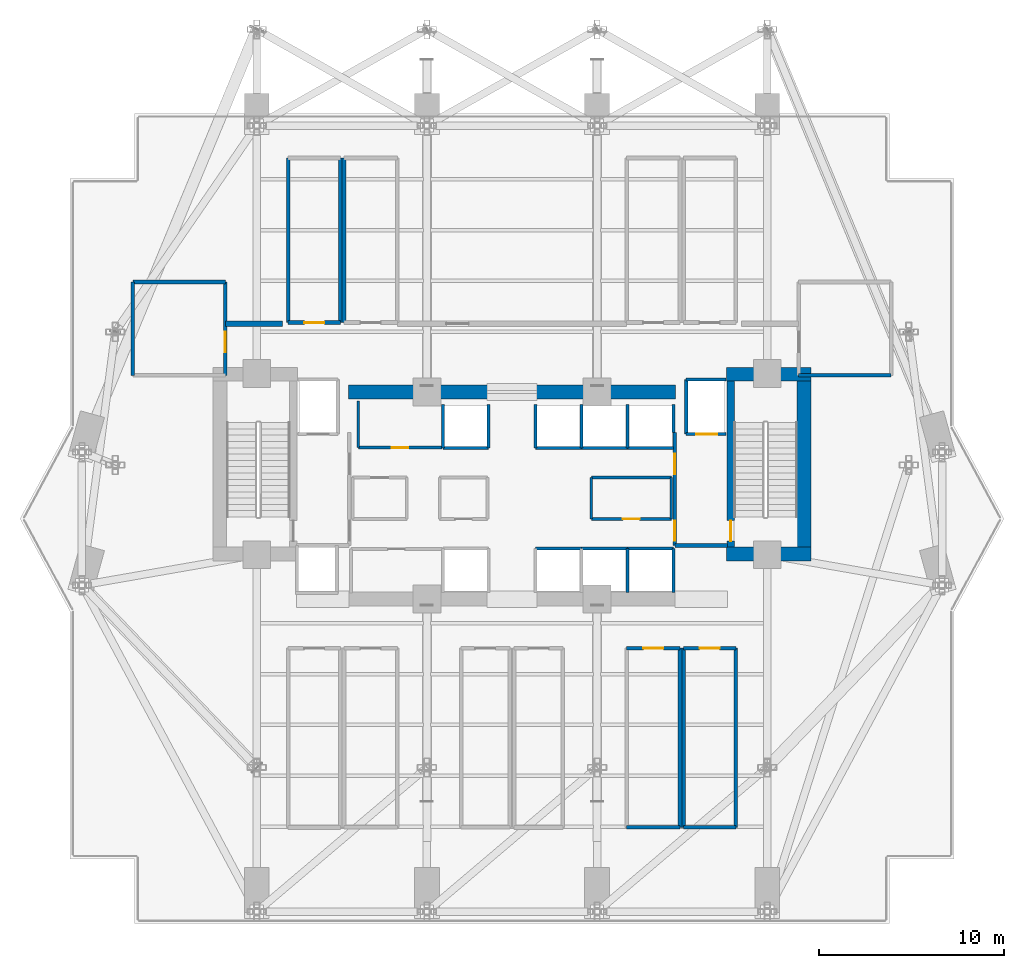
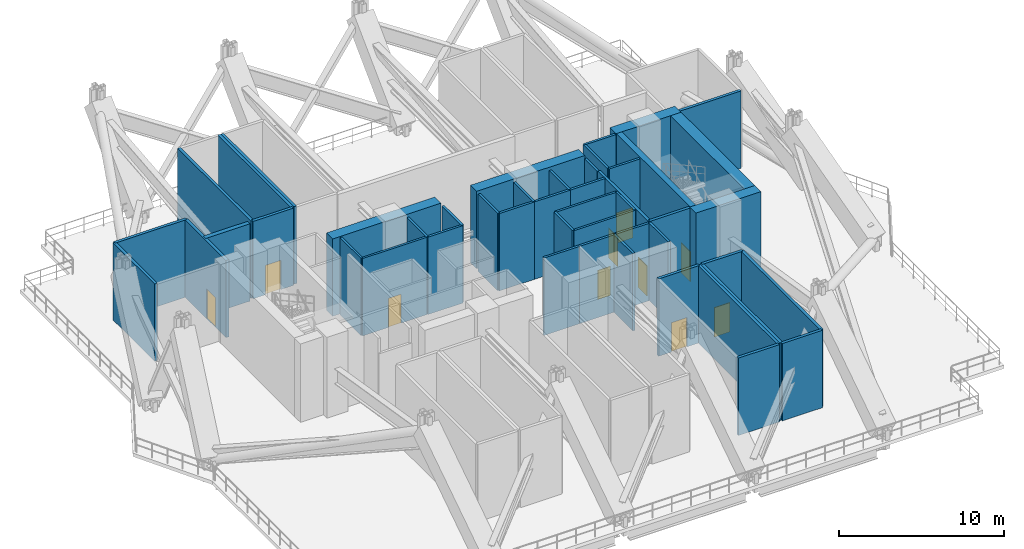
# One storey, part 13 of 18: 48 walls, 10 doors, 10 openings.
"""IFC4 building model written with IfcOpenShell, lengths in metres."""

from ifc_helpers import new_model, si_unit, direction, frame, frame_2d, origin, place, context, subcontext, project, spatial, rectangle, extrude, material, layer, layer_set, type_object, element, fill, save


model = new_model("IFC4")

# Units and contexts
model_context = context("Model", 3, precision=1e-05, world=origin(), true_north=direction((0.0, 1.0)))
body_context = subcontext(model_context, "Body", "Model", "MODEL_VIEW")
ifc_project = project(units=[si_unit("LENGTHUNIT", "METRE"), si_unit("AREAUNIT", "SQUARE_METRE"), si_unit("VOLUMEUNIT", "CUBIC_METRE"), si_unit("PLANEANGLEUNIT", "RADIAN"), si_unit("MASSUNIT", "GRAM", prefix="KILO")], contexts=[model_context])

# Site, building, storey
site_placement = place(None, origin())
site = spatial("IfcSite", under=ifc_project, at=site_placement, CompositionType="ELEMENT")
building_placement = place(site_placement, origin())
building = spatial("IfcBuilding", under=site, at=building_placement, Name="Zuhayl Quay Hotel", CompositionType="ELEMENT")
storey_placement = place(building_placement, frame((0.0, 0.0, 162.199951171875)))
storey = spatial("IfcBuildingStorey", under=building, at=storey_placement, Name="L41", CompositionType="ELEMENT", Elevation=162.199951171875)

# Walls
ifc_material_1 = material(Name="Concrete C60/75", Category="concrete")
ifc_layer_1 = layer(ifc_material_1, 0.75, Name="Concrete C60/75", Category="concrete")
ifc_layer_set_1 = layer_set([ifc_layer_1], Name="Concrete C60/75")
wall_type_1 = type_object("IfcWallType", Name="WL_CORE_750", PredefinedType="SHEAR", material=ifc_layer_set_1)
wall_1_placement = place(storey_placement, frame((11.60009765625, 14.304931640625, 0.0), z_axis=(0.0, 0.0, 1.0), x_axis=(1.0, 0.0, 0.0)))
element("IfcWall", 1, at=wall_1_placement, inside=storey, type_object=wall_type_1, Name="L41 Core Shear Wall CW_NE", PredefinedType="SHEAR", context=body_context, shape_type="SweptSolid", body=[
    extrude(rectangle(XDim=4.559814453125, YDim=0.75, at=frame_2d((2.27978515625, 0.0))), origin(), (0.0, 0.0, 1.0), 5.81005859375),
])
wall_2_placement = place(storey_placement, frame((15.784912109375, 4.969970703125, 0.0), z_axis=(0.0, 0.0, 1.0), x_axis=(0.0, 1.0, 0.0)))
element("IfcWall", 2, at=wall_2_placement, inside=storey, type_object=wall_type_1, Name="L41 Core Shear Wall CW_E", PredefinedType="SHEAR", context=body_context, shape_type="SweptSolid", body=[
    extrude(rectangle(XDim=8.9599609375, YDim=0.75, at=frame_2d((4.47998046875, 0.0))), origin(), (0.0, 0.0, 1.0), 5.81005859375),
])
wall_3_placement = place(storey_placement, frame((11.60009765625, 4.594970703125, 0.0), z_axis=(0.0, 0.0, 1.0), x_axis=(1.0, 0.0, 0.0)))
element("IfcWall", 3, at=wall_3_placement, inside=storey, type_object=wall_type_1, Name="L41 Core Shear Wall CW_SE", PredefinedType="SHEAR", context=body_context, shape_type="SweptSolid", body=[
    extrude(rectangle(XDim=4.559814453125, YDim=0.75, at=frame_2d((2.27978515625, 0.0))), origin(), (0.0, 0.0, 1.0), 5.81005859375),
])
for number, where, z_axis, x_axis, name in (
    (4, (-8.85009765625, 13.35009765625, 0.0), (0.0, 0.0, 1.0), (1.0, 0.0, 0.0), "L41 Core Shear Wall CW_NC_W"),
    (5, (1.25, 13.35009765625, 0.0), (0.0, 0.0, 1.0), (1.0, 0.0, 0.0), "L41 Core Shear Wall CW_NC_E"),
):
    element("IfcWall", number, at=place(storey_placement, frame(where, z_axis=z_axis, x_axis=x_axis)), inside=storey, type_object=wall_type_1, Name=name, PredefinedType="SHEAR", context=body_context, shape_type="SweptSolid", body=[
        extrude(rectangle(XDim=7.60009765625, YDim=0.75, at=frame_2d((3.800048828125, 0.0))), origin(), (0.0, 0.0, 1.0), 5.739990234375),
    ])
ifc_material_2 = material(Name="Precast concrete C45/55", Category="concrete")
ifc_layer_2 = layer(ifc_material_2, 0.300048828125, Name="Precast concrete C45/55", Category="concrete")
ifc_layer_set_2 = layer_set([ifc_layer_2], Name="Precast concrete C45/55")
wall_type_2 = type_object("IfcWallType", Name="WL_EXT_300", PredefinedType="STANDARD", material=ifc_layer_set_2)
wall_4_placement = place(storey_placement, frame((-15.5, 17.030029296875, 0.0), z_axis=(0.0, 0.0, 1.0), x_axis=(1.0, 0.0, 0.0)))
element("IfcWall", 6, at=wall_4_placement, inside=storey, type_object=wall_type_2, Name="L41 Exterior Precast Wall EW_WIND_NW_L41", PredefinedType="STANDARD", context=body_context, shape_type="SweptSolid", body=[
    extrude(rectangle(XDim=3.10009765625, YDim=0.300048828125, at=frame_2d((1.550048828125, 0.0))), origin(), (0.0, 0.0, 1.0), 5.739990234375),
])

# Wall, opening, door
ifc_material_3 = material(Name="Acoustic Gypsum Partition STC-58")
ifc_layer_3 = layer(ifc_material_3, 0.14990234375, Name="Acoustic Gypsum Partition STC-58")
ifc_layer_set_3 = layer_set([ifc_layer_3], Name="Acoustic Gypsum Partition STC-58")
wall_type_3 = type_object("IfcWallType", Name="WL_PART_150", PredefinedType="PARTITIONING", material=ifc_layer_set_3)
wall_5_placement = place(storey_placement, frame((-8.31005859375, 10.340087890625, 0.0), z_axis=(0.0, 0.0, 1.0), x_axis=(1.0, 0.0, 0.0)))
wall_5 = element("IfcWall", 7, at=wall_5_placement, inside=storey, type_object=wall_type_3, Name="L41 Partition IW_L41_FLP_N_S", PredefinedType="PARTITIONING", context=body_context, shape_type="SweptSolid", body=[
    extrude(rectangle(XDim=4.52001953125, YDim=0.14990234375, at=frame_2d((2.260009765625, 0.0))), origin(), (0.0, 0.0, 1.0), 5.739990234375),
])
opening_1_placement = place(wall_5_placement, frame((1.81005859375, 0.0, 0.0)))
opening_1 = element("IfcOpeningElement", 8, at=opening_1_placement, cuts=wall_5, Name="Opening D06", PredefinedType="OPENING", context=body_context, shape_type="SweptSolid", body=[
    extrude(rectangle(XDim=0.89990234375, YDim=2.14990234375, at=frame_2d((0.449951171875, 1.074951171875))), frame((0.0, 0.0849609375, 0.0), z_axis=(0.0, -1.0, 0.0), x_axis=(1.0, 0.0, 0.0)), (0.0, 0.0, 1.0), 0.169921875),
])
ifc_material_4 = material(Name="Steel ASTM A992 Grade 50", Category="steel")
door_type_1 = type_object("IfcDoorType", Name="DR_INT_900", OperationType="NOTDEFINED", PredefinedType="DOOR", material=ifc_material_4)
door_1_placement = place(opening_1_placement, origin())
door_1 = element("IfcDoor", 9, at=door_1_placement, inside=storey, type_object=door_type_1, Name="L41 Valet Linen Store Door", OperationType="SINGLE_SWING_LEFT", OverallHeight=2.14990234375, OverallWidth=0.89990234375, PredefinedType="DOOR", context=body_context, shape_type="SweptSolid", body=[
    extrude(rectangle(XDim=0.89990234375, YDim=2.14990234375, at=frame_2d((0.449951171875, 1.074951171875))), frame((0.0, 0.02490234375, 0.0), z_axis=(0.0, -1.0, 0.0), x_axis=(1.0, 0.0, 0.0)), (0.0, 0.0, 1.0), 0.050048828125),
])
fill(opening_1, door_1)

wall_6_placement = place(storey_placement, frame((4.2900390625, 6.47998046875, 0.0), z_axis=(0.0, 0.0, 1.0), x_axis=(1.0, 0.0, 0.0)))
wall_6 = element("IfcWall", 10, at=wall_6_placement, inside=storey, type_object=wall_type_3, Name="L41 Partition IW_L41_CORE_VL_S", PredefinedType="PARTITIONING", context=body_context, shape_type="SweptSolid", body=[
    extrude(rectangle(XDim=4.320068359375, YDim=0.14990234375, at=frame_2d((2.16015625, 0.0))), origin(), (0.0, 0.0, 1.0), 5.739990234375),
])
opening_2_placement = place(wall_6_placement, frame((1.7099609375, 0.0, 0.0)))
opening_2 = element("IfcOpeningElement", 11, at=opening_2_placement, cuts=wall_6, Name="Opening D06", PredefinedType="OPENING", context=body_context, shape_type="SweptSolid", body=[
    extrude(rectangle(XDim=0.89990234375, YDim=2.14990234375, at=frame_2d((0.449951171875, 1.074951171875))), frame((0.0, 0.0849609375, 0.0), z_axis=(0.0, -1.0, 0.0), x_axis=(1.0, 0.0, 0.0)), (0.0, 0.0, 1.0), 0.169921875),
])
door_2_placement = place(opening_2_placement, origin())
door_2 = element("IfcDoor", 12, at=door_2_placement, inside=storey, type_object=door_type_1, Name="L41 Floor Valet Store Door", OperationType="SINGLE_SWING_RIGHT", OverallHeight=2.14990234375, OverallWidth=0.89990234375, PredefinedType="DOOR", context=body_context, shape_type="SweptSolid", body=[
    extrude(rectangle(XDim=0.89990234375, YDim=2.14990234375, at=frame_2d((0.449951171875, 1.074951171875))), frame((0.0, 0.02490234375, 0.0), z_axis=(0.0, -1.0, 0.0), x_axis=(1.0, 0.0, 0.0)), (0.0, 0.0, 1.0), 0.050048828125),
])
fill(opening_2, door_2)

# Walls
wall_7_placement = place(storey_placement, frame((-8.31005859375, 10.340087890625, 0.0), z_axis=(0.0, 0.0, 1.0), x_axis=(0.0, 1.0, 0.0)))
element("IfcWall", 13, at=wall_7_placement, inside=storey, type_object=wall_type_3, Name="L41 Partition IW_L41_FLP_N_W", PredefinedType="PARTITIONING", context=body_context, shape_type="SweptSolid", body=[
    extrude(rectangle(XDim=2.52001953125, YDim=0.14990234375, at=frame_2d((1.260009765625, 0.0))), origin(), (0.0, 0.0, 1.0), 5.739990234375),
])
wall_8_placement = place(storey_placement, frame((4.2900390625, 8.719970703125, 0.0), z_axis=(0.0, 0.0, 1.0), x_axis=(1.0, 0.0, 0.0)))
element("IfcWall", 14, at=wall_8_placement, inside=storey, type_object=wall_type_3, Name="L41 Partition IW_L41_CORE_VL_N", PredefinedType="PARTITIONING", context=body_context, shape_type="SweptSolid", body=[
    extrude(rectangle(XDim=4.320068359375, YDim=0.14990234375, at=frame_2d((2.16015625, 0.0))), origin(), (0.0, 0.0, 1.0), 5.739990234375),
])
for number, where, z_axis, x_axis, name in (
    (15, (4.2900390625, 6.47998046875, 0.0), (0.0, 0.0, 1.0), (0.0, 1.0, 0.0), "L41 Partition IW_L41_CORE_VL_W"),
    (16, (8.610107421875, 6.47998046875, 0.0), (0.0, 0.0, 1.0), (0.0, 1.0, 0.0), "L41 Partition IW_L41_CORE_VL_E"),
):
    element("IfcWall", number, at=place(storey_placement, frame(where, z_axis=z_axis, x_axis=x_axis)), inside=storey, type_object=wall_type_3, Name=name, PredefinedType="PARTITIONING", context=body_context, shape_type="SweptSolid", body=[
        extrude(rectangle(XDim=2.239990234375, YDim=0.14990234375, at=frame_2d((1.1201171875, 0.0))), origin(), (0.0, 0.0, 1.0), 5.739990234375),
    ])

# Wall, opening, door
ifc_material_5 = material(Name="Gypsum Fireboard Assembly EI-90")
ifc_layer_4 = layer(ifc_material_5, 0.1650390625, Name="Gypsum Fireboard Assembly EI-90")
ifc_layer_set_4 = layer_set([ifc_layer_4], Name="Gypsum Fireboard Assembly EI-90")
wall_type_4 = type_object("IfcWallType", Name="WL_PART_SHAFT_160", PredefinedType="PARTITIONING", material=ifc_layer_set_4)
wall_9_placement = place(storey_placement, frame((9.419921875, 11.070068359375, 0.0), z_axis=(0.0, 0.0, 1.0), x_axis=(1.0, 0.0, 0.0)))
wall_9 = element("IfcWall", 17, at=wall_9_placement, inside=storey, type_object=wall_type_4, Name="L41 Partition IW_L41_SH_FL2_F", PredefinedType="PARTITIONING", context=body_context, shape_type="SweptSolid", body=[
    extrude(rectangle(XDim=2.16015625, YDim=0.1650390625, at=frame_2d((1.080078125, 0.0))), origin(), (0.0, 0.0, 1.0), 5.739990234375),
])
opening_3_placement = place(wall_9_placement, frame((0.530029296875, 0.0, 0.0)))
opening_3 = element("IfcOpeningElement", 18, at=opening_3_placement, cuts=wall_9, Name="Opening LD2", PredefinedType="OPENING", context=body_context, shape_type="SweptSolid", body=[
    extrude(rectangle(XDim=1.14990234375, YDim=2.25, at=frame_2d((0.574951171875, 1.125))), frame((0.0, 0.092529296875, 0.0), z_axis=(0.0, -1.0, 0.0), x_axis=(1.0, 0.0, 0.0)), (0.0, 0.0, 1.0), 0.18505859375),
])
ifc_material_6 = material(Name="Brushed Stainless Steel", Category="steel")
door_type_2 = type_object("IfcDoorType", Name="DR_LIFT_FF_1100", OperationType="SLIDING_TO_LEFT", PredefinedType="DOOR", material=ifc_material_6)
door_3_placement = place(opening_3_placement, origin())
door_3 = element("IfcDoor", 19, at=door_3_placement, inside=storey, type_object=door_type_2, Name="L41 Lift FL2 Sliding Landing Door", OperationType="SLIDING_TO_LEFT", OverallHeight=2.25, OverallWidth=1.14990234375, PredefinedType="DOOR", context=body_context, shape_type="SweptSolid", body=[
    extrude(rectangle(XDim=1.14990234375, YDim=2.25, at=frame_2d((0.574951171875, 1.125))), frame((0.0, 0.02490234375, 0.0), z_axis=(0.0, -1.0, 0.0), x_axis=(1.0, 0.0, 0.0)), (0.0, 0.0, 1.0), 0.050048828125),
])
fill(opening_3, door_3)

# Walls
wall_10_placement = place(storey_placement, frame((9.419921875, 11.070068359375, 0.0), z_axis=(0.0, 0.0, 1.0), x_axis=(0.0, 1.0, 0.0)))
element("IfcWall", 20, at=wall_10_placement, inside=storey, type_object=wall_type_4, Name="L41 Partition IW_L41_SH_FL2_W", PredefinedType="PARTITIONING", context=body_context, shape_type="SweptSolid", body=[
    extrude(rectangle(XDim=2.9599609375, YDim=0.1650390625, at=frame_2d((1.47998046875, 0.0))), origin(), (0.0, 0.0, 1.0), 5.739990234375),
])
wall_11_placement = place(storey_placement, frame((9.419921875, 14.030029296875, 0.0), z_axis=(0.0, 0.0, 1.0), x_axis=(1.0, 0.0, 0.0)))
element("IfcWall", 21, at=wall_11_placement, inside=storey, type_object=wall_type_4, Name="L41 Partition IW_L41_SH_FL2_B", PredefinedType="PARTITIONING", context=body_context, shape_type="SweptSolid", body=[
    extrude(rectangle(XDim=2.16015625, YDim=0.1650390625, at=frame_2d((1.080078125, 0.0))), origin(), (0.0, 0.0, 1.0), 5.739990234375),
])
wall_12_placement = place(storey_placement, frame((1.27001953125, 4.8798828125, 0.0), z_axis=(0.0, 0.0, 1.0), x_axis=(1.0, 0.0, 0.0)))
element("IfcWall", 22, at=wall_12_placement, inside=storey, type_object=wall_type_4, Name="L41 Partition IW_L41_SH_MP2_F", PredefinedType="PARTITIONING", context=body_context, shape_type="SweptSolid", body=[
    extrude(rectangle(XDim=2.47998046875, YDim=0.1650390625, at=frame_2d((1.239990234375, 0.0))), origin(), (0.0, 0.0, 1.0), 5.739990234375),
])
wall_13_placement = place(storey_placement, frame((-3.72998046875, 10.320068359375, 0.0), z_axis=(0.0, 0.0, 1.0), x_axis=(1.0, 0.0, 0.0)))
element("IfcWall", 23, at=wall_13_placement, inside=storey, type_object=wall_type_4, Name="L41 Partition IW_L41_SH_MP3_F", PredefinedType="PARTITIONING", context=body_context, shape_type="SweptSolid", body=[
    extrude(rectangle(XDim=2.4599609375, YDim=0.1650390625, at=frame_2d((1.22998046875, 0.0))), origin(), (0.0, 0.0, 1.0), 5.739990234375),
])
for number, where, z_axis, x_axis, name in (
    (24, (-3.72998046875, 10.320068359375, 0.0), (0.0, 0.0, 1.0), (0.0, 1.0, 0.0), "L41 Partition IW_L41_SH_MP3_W"),
    (25, (-1.27001953125, 10.320068359375, 0.0), (0.0, 0.0, 1.0), (0.0, 1.0, 0.0), "L41 Partition IW_L41_SH_MP3_E"),
):
    element("IfcWall", number, at=place(storey_placement, frame(where, z_axis=z_axis, x_axis=x_axis)), inside=storey, type_object=wall_type_4, Name=name, PredefinedType="PARTITIONING", context=body_context, shape_type="SweptSolid", body=[
        extrude(rectangle(XDim=2.35986328125, YDim=0.1650390625, at=frame_2d((1.179931640625, 0.0))), origin(), (0.0, 0.0, 1.0), 5.739990234375),
    ])
wall_14_placement = place(storey_placement, frame((1.27001953125, 10.320068359375, 0.0), z_axis=(0.0, 0.0, 1.0), x_axis=(1.0, 0.0, 0.0)))
element("IfcWall", 26, at=wall_14_placement, inside=storey, type_object=wall_type_4, Name="L41 Partition IW_L41_SH_MP4_F", PredefinedType="PARTITIONING", context=body_context, shape_type="SweptSolid", body=[
    extrude(rectangle(XDim=2.47998046875, YDim=0.1650390625, at=frame_2d((1.239990234375, 0.0))), origin(), (0.0, 0.0, 1.0), 5.739990234375),
])
for number, where, z_axis, x_axis, name in (
    (27, (1.27001953125, 10.320068359375, 0.0), (0.0, 0.0, 1.0), (0.0, 1.0, 0.0), "L41 Partition IW_L41_SH_MP4_W"),
    (28, (3.75, 10.320068359375, 0.0), (0.0, 0.0, 1.0), (0.0, 1.0, 0.0), "L41 Partition IW_L41_SH_MP4_E"),
):
    element("IfcWall", number, at=place(storey_placement, frame(where, z_axis=z_axis, x_axis=x_axis)), inside=storey, type_object=wall_type_4, Name=name, PredefinedType="PARTITIONING", context=body_context, shape_type="SweptSolid", body=[
        extrude(rectangle(XDim=2.35986328125, YDim=0.1650390625, at=frame_2d((1.179931640625, 0.0))), origin(), (0.0, 0.0, 1.0), 5.739990234375),
    ])
wall_15_placement = place(storey_placement, frame((3.75, 4.8798828125, 0.0), z_axis=(0.0, 0.0, 1.0), x_axis=(1.0, 0.0, 0.0)))
element("IfcWall", 29, at=wall_15_placement, inside=storey, type_object=wall_type_4, Name="L41 Partition IW_L41_SH_HP1_F", PredefinedType="PARTITIONING", context=body_context, shape_type="SweptSolid", body=[
    extrude(rectangle(XDim=2.5, YDim=0.1650390625, at=frame_2d((1.25, 0.0))), origin(), (0.0, 0.0, 1.0), 5.739990234375),
])
wall_16_placement = place(storey_placement, frame((6.25, 2.52001953125, 0.0), z_axis=(0.0, 0.0, 1.0), x_axis=(0.0, 1.0, 0.0)))
element("IfcWall", 30, at=wall_16_placement, inside=storey, type_object=wall_type_4, Name="L41 Partition IW_L41_SH_HP1_E", PredefinedType="PARTITIONING", context=body_context, shape_type="SweptSolid", body=[
    extrude(rectangle(XDim=2.35986328125, YDim=0.1650390625, at=frame_2d((1.179931640625, 0.0))), origin(), (0.0, 0.0, 1.0), 5.739990234375),
])
wall_17_placement = place(storey_placement, frame((6.25, 4.8798828125, 0.0), z_axis=(0.0, 0.0, 1.0), x_axis=(1.0, 0.0, 0.0)))
element("IfcWall", 31, at=wall_17_placement, inside=storey, type_object=wall_type_4, Name="L41 Partition IW_L41_SH_HP2_F", PredefinedType="PARTITIONING", context=body_context, shape_type="SweptSolid", body=[
    extrude(rectangle(XDim=2.47998046875, YDim=0.1650390625, at=frame_2d((1.239990234375, 0.0))), origin(), (0.0, 0.0, 1.0), 5.739990234375),
])
wall_18_placement = place(storey_placement, frame((8.72998046875, 2.52001953125, 0.0), z_axis=(0.0, 0.0, 1.0), x_axis=(0.0, 1.0, 0.0)))
element("IfcWall", 32, at=wall_18_placement, inside=storey, type_object=wall_type_4, Name="L41 Partition IW_L41_SH_HP2_E", PredefinedType="PARTITIONING", context=body_context, shape_type="SweptSolid", body=[
    extrude(rectangle(XDim=2.35986328125, YDim=0.1650390625, at=frame_2d((1.179931640625, 0.0))), origin(), (0.0, 0.0, 1.0), 5.739990234375),
])
wall_19_placement = place(storey_placement, frame((3.75, 10.320068359375, 0.0), z_axis=(0.0, 0.0, 1.0), x_axis=(1.0, 0.0, 0.0)))
element("IfcWall", 33, at=wall_19_placement, inside=storey, type_object=wall_type_4, Name="L41 Partition IW_L41_SH_HP3_F", PredefinedType="PARTITIONING", context=body_context, shape_type="SweptSolid", body=[
    extrude(rectangle(XDim=2.5, YDim=0.1650390625, at=frame_2d((1.25, 0.0))), origin(), (0.0, 0.0, 1.0), 5.739990234375),
])
wall_20_placement = place(storey_placement, frame((6.25, 10.320068359375, 0.0), z_axis=(0.0, 0.0, 1.0), x_axis=(0.0, 1.0, 0.0)))
element("IfcWall", 34, at=wall_20_placement, inside=storey, type_object=wall_type_4, Name="L41 Partition IW_L41_SH_HP3_E", PredefinedType="PARTITIONING", context=body_context, shape_type="SweptSolid", body=[
    extrude(rectangle(XDim=2.35986328125, YDim=0.1650390625, at=frame_2d((1.179931640625, 0.0))), origin(), (0.0, 0.0, 1.0), 5.739990234375),
])
wall_21_placement = place(storey_placement, frame((6.25, 10.320068359375, 0.0), z_axis=(0.0, 0.0, 1.0), x_axis=(1.0, 0.0, 0.0)))
element("IfcWall", 35, at=wall_21_placement, inside=storey, type_object=wall_type_4, Name="L41 Partition IW_L41_SH_HP4_F", PredefinedType="PARTITIONING", context=body_context, shape_type="SweptSolid", body=[
    extrude(rectangle(XDim=2.47998046875, YDim=0.1650390625, at=frame_2d((1.239990234375, 0.0))), origin(), (0.0, 0.0, 1.0), 5.739990234375),
])
wall_22_placement = place(storey_placement, frame((8.72998046875, 11.14990234375, 0.0), z_axis=(0.0, 0.0, 1.0), x_axis=(0.0, 1.0, 0.0)))
element("IfcWall", 36, at=wall_22_placement, inside=storey, type_object=wall_type_4, Name="L41 Partition IW_L41_SH_HP4_E", PredefinedType="PARTITIONING", context=body_context, shape_type="SweptSolid", body=[
    extrude(rectangle(XDim=1.530029296875, YDim=0.1650390625, at=frame_2d((0.76513671875, 0.0))), origin(), (0.0, 0.0, 1.0), 5.739990234375),
])

# Wall, openings, doors
ifc_material_7 = material(Name="Gypsum Fireboard Assembly EI-120")
ifc_layer_5 = layer(ifc_material_7, 0.199951171875, Name="Gypsum Fireboard Assembly EI-120")
ifc_layer_set_5 = layer_set([ifc_layer_5], Name="Gypsum Fireboard Assembly EI-120")
wall_type_5 = type_object("IfcWallType", Name="WL_PART_SHAFT_200", PredefinedType="PARTITIONING", material=ifc_layer_set_5)
wall_23_placement = place(storey_placement, frame((8.800048828125, 11.14990234375, 0.0), z_axis=(0.0, 0.0, 1.0), x_axis=(0.0, -1.0, 0.0)))
wall_23 = element("IfcWall", 37, at=wall_23_placement, inside=storey, type_object=wall_type_5, Name="L41 Partition IW_L41_FSAE_E_W", PredefinedType="PARTITIONING", context=body_context, shape_type="SweptSolid", body=[
    extrude(rectangle(XDim=6.099853515625, YDim=0.199951171875, at=frame_2d((3.0498046875, 0.0))), origin(), (0.0, 0.0, 1.0), 5.739990234375),
])
opening_4_placement = place(wall_23_placement, frame((1.14990234375, 0.0, 0.0)))
opening_4 = element("IfcOpeningElement", 38, at=opening_4_placement, cuts=wall_23, Name="Opening D02", PredefinedType="OPENING", context=body_context, shape_type="SweptSolid", body=[
    extrude(rectangle(XDim=1.10009765625, YDim=2.199951171875, at=frame_2d((0.550048828125, 1.10009765625))), frame((0.0, 0.10986328125, 0.0), z_axis=(0.0, -1.0, 0.0), x_axis=(1.0, 0.0, 0.0)), (0.0, 0.0, 1.0), 0.219970703125),
])
opening_5_placement = place(wall_23_placement, frame((4.75, 0.0, 0.0)))
opening_5 = element("IfcOpeningElement", 39, at=opening_5_placement, cuts=wall_23, Name="Opening D02", PredefinedType="OPENING", context=body_context, shape_type="SweptSolid", body=[
    extrude(rectangle(XDim=1.10009765625, YDim=2.199951171875, at=frame_2d((0.550048828125, 1.10009765625))), frame((0.0, 0.10986328125, 0.0), z_axis=(0.0, -1.0, 0.0), x_axis=(1.0, 0.0, 0.0)), (0.0, 0.0, 1.0), 0.219970703125),
])
door_type_3 = type_object("IfcDoorType", Name="DR_FIRE_90_1100", OperationType="NOTDEFINED", PredefinedType="DOOR", material=ifc_material_4)
door_4_placement = place(opening_4_placement, origin())
door_4 = element("IfcDoor", 40, at=door_4_placement, inside=storey, type_object=door_type_3, Name="L41 FSAE Lobby East North Entry Door", OperationType="SINGLE_SWING_RIGHT", OverallHeight=2.199951171875, OverallWidth=1.10009765625, PredefinedType="DOOR", context=body_context, shape_type="SweptSolid", body=[
    extrude(rectangle(XDim=1.10009765625, YDim=2.199951171875, at=frame_2d((0.550048828125, 1.10009765625))), frame((0.0, 0.02490234375, 0.0), z_axis=(0.0, -1.0, 0.0), x_axis=(1.0, 0.0, 0.0)), (0.0, 0.0, 1.0), 0.050048828125),
])
fill(opening_4, door_4)
door_5_placement = place(opening_5_placement, origin())
door_5 = element("IfcDoor", 41, at=door_5_placement, inside=storey, type_object=door_type_3, Name="L41 FSAE Lobby East South Entry Door", OperationType="SINGLE_SWING_LEFT", OverallHeight=2.199951171875, OverallWidth=1.10009765625, PredefinedType="DOOR", context=body_context, shape_type="SweptSolid", body=[
    extrude(rectangle(XDim=1.10009765625, YDim=2.199951171875, at=frame_2d((0.550048828125, 1.10009765625))), frame((0.0, 0.02490234375, 0.0), z_axis=(0.0, -1.0, 0.0), x_axis=(1.0, 0.0, 0.0)), (0.0, 0.0, 1.0), 0.050048828125),
])
fill(opening_5, door_5)

# Wall, opening, door
wall_24_placement = place(storey_placement, frame((-15.5, 14.25, 0.0), z_axis=(0.0, 0.0, 1.0), x_axis=(0.0, 1.0, 0.0)))
wall_24 = element("IfcWall", 42, at=wall_24_placement, inside=storey, type_object=wall_type_5, Name="L41 Partition IW_L41_REF_W_E", PredefinedType="PARTITIONING", context=body_context, shape_type="SweptSolid", body=[
    extrude(rectangle(XDim=5.050048828125, YDim=0.199951171875, at=frame_2d((2.52490234375, 0.0))), origin(), (0.0, 0.0, 1.0), 5.739990234375),
])
opening_6_placement = place(wall_24_placement, frame((1.25, 0.0, 0.0)))
opening_6 = element("IfcOpeningElement", 43, at=opening_6_placement, cuts=wall_24, Name="Opening D02", PredefinedType="OPENING", context=body_context, shape_type="SweptSolid", body=[
    extrude(rectangle(XDim=1.10009765625, YDim=2.199951171875, at=frame_2d((0.550048828125, 1.10009765625))), frame((0.0, 0.10986328125, 0.0), z_axis=(0.0, -1.0, 0.0), x_axis=(1.0, 0.0, 0.0)), (0.0, 0.0, 1.0), 0.219970703125),
])
door_6_placement = place(opening_6_placement, origin())
door_6 = element("IfcDoor", 44, at=door_6_placement, inside=storey, type_object=door_type_3, Name="L41 West Refuge Area Door", OperationType="SINGLE_SWING_LEFT", OverallHeight=2.199951171875, OverallWidth=1.10009765625, PredefinedType="DOOR", context=body_context, shape_type="SweptSolid", body=[
    extrude(rectangle(XDim=1.10009765625, YDim=2.199951171875, at=frame_2d((0.550048828125, 1.10009765625))), frame((0.0, 0.02490234375, 0.0), z_axis=(0.0, -1.0, 0.0), x_axis=(1.0, 0.0, 0.0)), (0.0, 0.0, 1.0), 0.050048828125),
])
fill(opening_6, door_6)

wall_25_placement = place(storey_placement, frame((-12.10009765625, 17.10009765625, 0.0), z_axis=(0.0, 0.0, 1.0), x_axis=(1.0, 0.0, 0.0)))
wall_25 = element("IfcWall", 45, at=wall_25_placement, inside=storey, type_object=wall_type_5, Name="L41 Partition IW_L41_MEP_HEX1_S", PredefinedType="PARTITIONING", context=body_context, shape_type="SweptSolid", body=[
    extrude(rectangle(XDim=2.820068359375, YDim=0.199951171875, at=frame_2d((1.41015625, 0.0))), origin(), (0.0, 0.0, 1.0), 5.739990234375),
])
opening_7_placement = place(wall_25_placement, frame((0.8701171875, 0.0, 0.0)))
opening_7 = element("IfcOpeningElement", 46, at=opening_7_placement, cuts=wall_25, Name="Opening D05A", PredefinedType="OPENING", context=body_context, shape_type="SweptSolid", body=[
    extrude(rectangle(XDim=1.080078125, YDim=2.179931640625, at=frame_2d((0.5400390625, 1.08984375))), frame((0.0, 0.10986328125, 0.0), z_axis=(0.0, -1.0, 0.0), x_axis=(1.0, 0.0, 0.0)), (0.0, 0.0, 1.0), 0.219970703125),
])
ifc_material_8 = material(Name="Solid Walnut Acoustic Fire Door")
door_type_4 = type_object("IfcDoorType", Name="DR_INT_1100", OperationType="NOTDEFINED", PredefinedType="DOOR", material=ifc_material_8)
door_7_placement = place(opening_7_placement, origin())
door_7 = element("IfcDoor", 47, at=door_7_placement, inside=storey, type_object=door_type_4, Name="L41 Chiller Plant Room 1 Door", OperationType="SINGLE_SWING_LEFT", OverallHeight=2.179931640625, OverallWidth=1.080078125, PredefinedType="DOOR", context=body_context, shape_type="SweptSolid", body=[
    extrude(rectangle(XDim=1.080078125, YDim=2.179931640625, at=frame_2d((0.5400390625, 1.08984375))), frame((0.0, 0.02490234375, 0.0), z_axis=(0.0, -1.0, 0.0), x_axis=(1.0, 0.0, 0.0)), (0.0, 0.0, 1.0), 0.050048828125),
])
fill(opening_7, door_7)

wall_26_placement = place(storey_placement, frame((6.199951171875, -0.5, 0.0), z_axis=(0.0, 0.0, 1.0), x_axis=(1.0, 0.0, 0.0)))
wall_26 = element("IfcWall", 48, at=wall_26_placement, inside=storey, type_object=wall_type_5, Name="L41 Partition IW_L41_MEP_PUMP_N", PredefinedType="PARTITIONING", context=body_context, shape_type="SweptSolid", body=[
    extrude(rectangle(XDim=2.880126953125, YDim=0.199951171875, at=frame_2d((1.43994140625, 0.0))), origin(), (0.0, 0.0, 1.0), 5.739990234375),
])
opening_8_placement = place(wall_26_placement, frame((0.89990234375, 0.0, 0.0)))
opening_8 = element("IfcOpeningElement", 49, at=opening_8_placement, cuts=wall_26, Name="Opening D05A", PredefinedType="OPENING", context=body_context, shape_type="SweptSolid", body=[
    extrude(rectangle(XDim=1.080078125, YDim=2.179931640625, at=frame_2d((0.5400390625, 1.08984375))), frame((0.0, 0.10986328125, 0.0), z_axis=(0.0, -1.0, 0.0), x_axis=(1.0, 0.0, 0.0)), (0.0, 0.0, 1.0), 0.219970703125),
])
door_8_placement = place(opening_8_placement, origin())
door_8 = element("IfcDoor", 50, at=door_8_placement, inside=storey, type_object=door_type_4, Name="L41 Booster Pump Plant Room Door", OperationType="SINGLE_SWING_LEFT", OverallHeight=2.179931640625, OverallWidth=1.080078125, PredefinedType="DOOR", context=body_context, shape_type="SweptSolid", body=[
    extrude(rectangle(XDim=1.080078125, YDim=2.179931640625, at=frame_2d((0.5400390625, 1.08984375))), frame((0.0, 0.02490234375, 0.0), z_axis=(0.0, -1.0, 0.0), x_axis=(1.0, 0.0, 0.0)), (0.0, 0.0, 1.0), 0.050048828125),
])
fill(opening_8, door_8)

wall_27_placement = place(storey_placement, frame((9.280029296875, -0.5, 0.0), z_axis=(0.0, 0.0, 1.0), x_axis=(1.0, 0.0, 0.0)))
wall_27 = element("IfcWall", 51, at=wall_27_placement, inside=storey, type_object=wall_type_5, Name="L41 Partition IW_L41_MEP_FIRE_N", PredefinedType="PARTITIONING", context=body_context, shape_type="SweptSolid", body=[
    extrude(rectangle(XDim=2.820068359375, YDim=0.199951171875, at=frame_2d((1.41015625, 0.0))), origin(), (0.0, 0.0, 1.0), 5.739990234375),
])
opening_9_placement = place(wall_27_placement, frame((0.8701171875, 0.0, 0.0)))
opening_9 = element("IfcOpeningElement", 52, at=opening_9_placement, cuts=wall_27, Name="Opening D05A", PredefinedType="OPENING", context=body_context, shape_type="SweptSolid", body=[
    extrude(rectangle(XDim=1.080078125, YDim=2.179931640625, at=frame_2d((0.5400390625, 1.08984375))), frame((0.0, 0.10986328125, 0.0), z_axis=(0.0, -1.0, 0.0), x_axis=(1.0, 0.0, 0.0)), (0.0, 0.0, 1.0), 0.219970703125),
])
door_9_placement = place(opening_9_placement, origin())
door_9 = element("IfcDoor", 53, at=door_9_placement, inside=storey, type_object=door_type_4, Name="L41 Fire Pump Plant Room Door", OperationType="SINGLE_SWING_RIGHT", OverallHeight=2.179931640625, OverallWidth=1.080078125, PredefinedType="DOOR", context=body_context, shape_type="SweptSolid", body=[
    extrude(rectangle(XDim=1.080078125, YDim=2.179931640625, at=frame_2d((0.5400390625, 1.08984375))), frame((0.0, 0.02490234375, 0.0), z_axis=(0.0, -1.0, 0.0), x_axis=(1.0, 0.0, 0.0)), (0.0, 0.0, 1.0), 0.050048828125),
])
fill(opening_9, door_9)

# Walls
wall_28_placement = place(storey_placement, frame((8.800048828125, 5.050048828125, 0.0), z_axis=(0.0, 0.0, 1.0), x_axis=(1.0, 0.0, 0.0)))
element("IfcWall", 54, at=wall_28_placement, inside=storey, type_object=wall_type_5, Name="L41 Partition IW_L41_FSAE_E_S", PredefinedType="PARTITIONING", context=body_context, shape_type="SweptSolid", body=[
    extrude(rectangle(XDim=2.849853515625, YDim=0.199951171875, at=frame_2d((1.4248046875, 0.0))), origin(), (0.0, 0.0, 1.0), 5.739990234375),
])
wall_29_placement = place(storey_placement, frame((-20.5, 14.25, 0.0), z_axis=(0.0, 0.0, 1.0), x_axis=(0.0, 1.0, 0.0)))
element("IfcWall", 55, at=wall_29_placement, inside=storey, type_object=wall_type_5, Name="L41 Partition IW_L41_REF_W_W", PredefinedType="PARTITIONING", context=body_context, shape_type="SweptSolid", body=[
    extrude(rectangle(XDim=5.050048828125, YDim=0.199951171875, at=frame_2d((2.52490234375, 0.0))), origin(), (0.0, 0.0, 1.0), 5.739990234375),
])
for number, where, z_axis, x_axis, name in (
    (56, (-20.5, 19.300048828125, 0.0), (0.0, 0.0, 1.0), (1.0, 0.0, 0.0), "L41 Partition IW_L41_REF_W_N"),
    (57, (15.5, 14.25, 0.0), (0.0, 0.0, 1.0), (1.0, 0.0, 0.0), "L41 Partition IW_L41_REF_E_S"),
):
    element("IfcWall", number, at=place(storey_placement, frame(where, z_axis=z_axis, x_axis=x_axis)), inside=storey, type_object=wall_type_5, Name=name, PredefinedType="PARTITIONING", context=body_context, shape_type="SweptSolid", body=[
        extrude(rectangle(XDim=5.0, YDim=0.199951171875, at=frame_2d((2.5, 0.0))), origin(), (0.0, 0.0, 1.0), 5.739990234375),
    ])
for number, where, z_axis, x_axis, name in (
    (58, (-12.10009765625, 17.10009765625, 0.0), (0.0, 0.0, 1.0), (0.0, 1.0, 0.0), "L41 Partition IW_L41_MEP_HEX1_W"),
    (59, (-9.280029296875, 17.10009765625, 0.0), (0.0, 0.0, 1.0), (0.0, 1.0, 0.0), "L41 Partition IW_L41_MEP_HEX1_E"),
    (60, (-9.080078125, 17.10009765625, 0.0), (0.0, 0.0, 1.0), (0.0, 1.0, 0.0), "L41 Partition IW_L41_MEP_HEX2_W"),
):
    element("IfcWall", number, at=place(storey_placement, frame(where, z_axis=z_axis, x_axis=x_axis)), inside=storey, type_object=wall_type_5, Name=name, PredefinedType="PARTITIONING", context=body_context, shape_type="SweptSolid", body=[
        extrude(rectangle(XDim=8.89990234375, YDim=0.199951171875, at=frame_2d((4.449951171875, 0.0))), origin(), (0.0, 0.0, 1.0), 5.739990234375),
    ])
wall_30_placement = place(storey_placement, frame((6.199951171875, -10.18798828125, 0.0), z_axis=(0.0, 0.0, 1.0), x_axis=(1.0, 0.0, 0.0)))
element("IfcWall", 61, at=wall_30_placement, inside=storey, type_object=wall_type_5, Name="L41 Partition IW_L41_MEP_PUMP_S", PredefinedType="PARTITIONING", context=body_context, shape_type="SweptSolid", body=[
    extrude(rectangle(XDim=2.880126953125, YDim=0.199951171875, at=frame_2d((1.43994140625, 0.0))), origin(), (0.0, 0.0, 1.0), 5.739990234375),
])
wall_31_placement = place(storey_placement, frame((9.080078125, -10.18798828125, 0.0), z_axis=(0.0, 0.0, 1.0), x_axis=(0.0, 1.0, 0.0)))
element("IfcWall", 62, at=wall_31_placement, inside=storey, type_object=wall_type_5, Name="L41 Partition IW_L41_MEP_PUMP_E", PredefinedType="PARTITIONING", context=body_context, shape_type="SweptSolid", body=[
    extrude(rectangle(XDim=9.68798828125, YDim=0.199951171875, at=frame_2d((4.843994140625, 0.0))), origin(), (0.0, 0.0, 1.0), 5.739990234375),
])
wall_32_placement = place(storey_placement, frame((9.280029296875, -10.18701171875, 0.0), z_axis=(0.0, 0.0, 1.0), x_axis=(1.0, 0.0, 0.0)))
element("IfcWall", 63, at=wall_32_placement, inside=storey, type_object=wall_type_5, Name="L41 Partition IW_L41_MEP_FIRE_S", PredefinedType="PARTITIONING", context=body_context, shape_type="SweptSolid", body=[
    extrude(rectangle(XDim=2.820068359375, YDim=0.199951171875, at=frame_2d((1.41015625, 0.0))), origin(), (0.0, 0.0, 1.0), 5.739990234375),
])
for number, where, z_axis, x_axis, name in (
    (64, (9.280029296875, -10.18701171875, 0.0), (0.0, 0.0, 1.0), (0.0, 1.0, 0.0), "L41 Partition IW_L41_MEP_FIRE_W"),
    (65, (12.10009765625, -10.18701171875, 0.0), (0.0, 0.0, 1.0), (0.0, 1.0, 0.0), "L41 Partition IW_L41_MEP_FIRE_E"),
):
    element("IfcWall", number, at=place(storey_placement, frame(where, z_axis=z_axis, x_axis=x_axis)), inside=storey, type_object=wall_type_5, Name=name, PredefinedType="PARTITIONING", context=body_context, shape_type="SweptSolid", body=[
        extrude(rectangle(XDim=9.68701171875, YDim=0.199951171875, at=frame_2d((4.843505859375, 0.0))), origin(), (0.0, 0.0, 1.0), 5.739990234375),
    ])

# Wall, opening, door
ifc_layer_6 = layer(ifc_material_1, 0.39990234375, Name="Concrete C60/75", Category="concrete")
ifc_layer_set_6 = layer_set([ifc_layer_6], Name="Concrete C60/75")
wall_type_6 = type_object("IfcWallType", Name="WL_STAIR_400", PredefinedType="SHEAR", material=ifc_layer_set_6)
wall_33_placement = place(storey_placement, frame((11.820068359375, 13.929931640625, 0.0), z_axis=(0.0, 0.0, 1.0), x_axis=(0.0, -1.0, 0.0)))
wall_33 = element("IfcWall", 66, at=wall_33_placement, inside=storey, type_object=wall_type_6, Name="L41 Core Shear Wall SW_ST2", PredefinedType="SHEAR", context=body_context, shape_type="SweptSolid", body=[
    extrude(rectangle(XDim=8.9599609375, YDim=0.39990234375, at=frame_2d((4.47998046875, 0.0))), origin(), (0.0, 0.0, 1.0), 5.81005859375),
])
opening_10_placement = place(wall_33_placement, frame((7.530029296875, 0.0, 0.0)))
opening_10 = element("IfcOpeningElement", 67, at=opening_10_placement, cuts=wall_33, Name="Opening D01", PredefinedType="OPENING", context=body_context, shape_type="SweptSolid", body=[
    extrude(rectangle(XDim=1.1201171875, YDim=2.219970703125, at=frame_2d((0.56005859375, 1.10986328125))), frame((0.0, 0.2099609375, 0.0), z_axis=(0.0, -1.0, 0.0), x_axis=(1.0, 0.0, 0.0)), (0.0, 0.0, 1.0), 0.419921875),
])
door_type_5 = type_object("IfcDoorType", Name="DR_STAIR_90_1100", OperationType="NOTDEFINED", PredefinedType="DOOR", material=ifc_material_4)
door_10_placement = place(opening_10_placement, origin())
door_10 = element("IfcDoor", 68, at=door_10_placement, inside=storey, type_object=door_type_5, Name="L41 Smokeproof Exit Stair ST2 Door", OperationType="SINGLE_SWING_RIGHT", OverallHeight=2.219970703125, OverallWidth=1.1201171875, PredefinedType="DOOR", context=body_context, shape_type="SweptSolid", body=[
    extrude(rectangle(XDim=1.1201171875, YDim=2.219970703125, at=frame_2d((0.56005859375, 1.10986328125))), frame((0.0, 0.02490234375, 0.0), z_axis=(0.0, -1.0, 0.0), x_axis=(1.0, 0.0, 0.0)), (0.0, 0.0, 1.0), 0.050048828125),
])
fill(opening_10, door_10)

save(model, "model.ifc")
